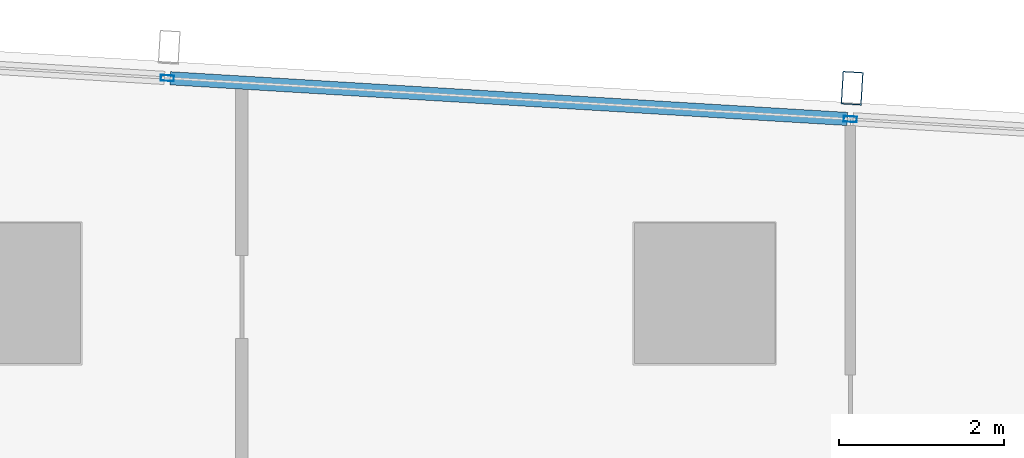
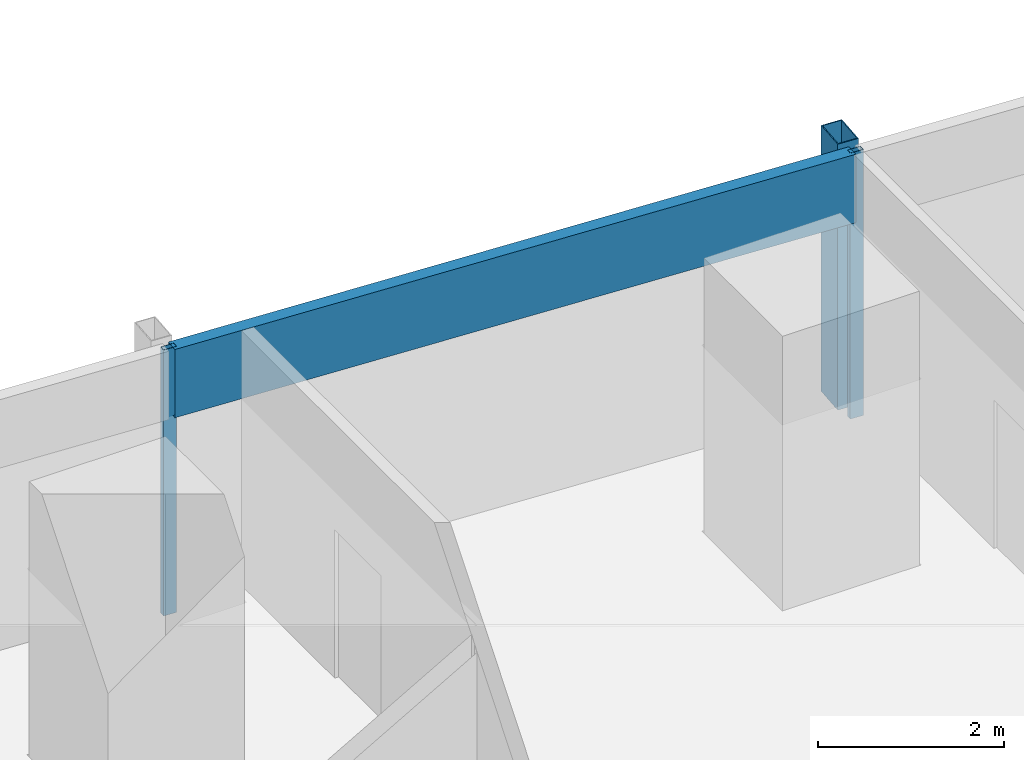
# One storey, part 19 of 40: 4 members, 1 element without a shape of its own.
"""IFC4 building model written with IfcOpenShell, lengths in metres."""

from ifc_helpers import new_model, si_unit, direction, frame, origin, origin_2d, place, context, subcontext, project, spatial, hollow_rectangle, extrude, material, material_profile, profile_set, type_object, element, aggregate, save


model = new_model("IFC4")

# Units and contexts
model_context = context("Model", 3, precision=1e-05, world=origin(), true_north=direction((0.0, 1.0)))
body_context = subcontext(model_context, "Body", "Model", "MODEL_VIEW")
ifc_project = project(units=[si_unit("LENGTHUNIT", "METRE"), si_unit("AREAUNIT", "SQUARE_METRE"), si_unit("VOLUMEUNIT", "CUBIC_METRE"), si_unit("PLANEANGLEUNIT", "RADIAN"), si_unit("MASSUNIT", "GRAM", prefix="KILO")], contexts=[model_context])

# Site, building, storey
site_placement = place(None, origin())
site = spatial("IfcSite", under=ifc_project, at=site_placement, CompositionType="ELEMENT")
building_placement = place(site_placement, origin())
building = spatial("IfcBuilding", under=site, at=building_placement, Name="Rekha Terrace Tower", CompositionType="ELEMENT")
storey_placement = place(building_placement, frame((0.0, 0.0, 136.550048828125)))
storey = spatial("IfcBuildingStorey", under=building, at=storey_placement, Name="L34", CompositionType="ELEMENT", Elevation=136.550048828125)

# Curtain wall, members
ifc_material_1 = material(Name="Aluminium framing", Category="aluminium")
curtain_wall_type = type_object("IfcCurtainWallType", Name="CW3 north unitised glazing", PredefinedType="USERDEFINED", material=ifc_material_1)
curtain_wall_placement = place(storey_placement, origin())
curtain_wall = element("IfcCurtainWall", 1, at=curtain_wall_placement, inside=storey, type_object=curtain_wall_type, Name="CW3 unitised curtain wall", ObjectType="UNITISED CURTAIN WALL", PredefinedType="USERDEFINED")
ifc_material_2 = material(Name="Steel S355 with fluorocarbon finish", Category="steel")
ifc_material_profile_1 = material_profile(ifc_material_2, hollow_rectangle(XDim=0.25, YDim=0.39990234375, WallThickness=0.012451171875, at=origin_2d()), Name="RHS400x250x12.5")
ifc_profile_set_1 = profile_set([ifc_material_profile_1], Name="Steel S355 with fluorocarbon finish")
member_type_1 = type_object("IfcMemberType", Name="BL1 facade blade RHS 400 x 250", PredefinedType="USERDEFINED", material=ifc_profile_set_1)
member_1_placement = place(storey_placement, frame((60.583740234375, 61.281005859375, 0.0), z_axis=(0.0, 0.0, 1.0), x_axis=(-0.998199123409, 0.059987582268, 0.0)))
member_1 = element("IfcMember", 2, at=member_1_placement, type_object=member_type_1, Name="Facade blade", ObjectType="FACADE BLADE", PredefinedType="USERDEFINED", context=body_context, shape_type="SweptSolid", body=[
    extrude(hollow_rectangle(XDim=0.25, YDim=0.39990234375, WallThickness=0.012451171875, at=origin_2d()), origin(), (0.0, 0.0, 1.0), 3.5),
])
ifc_material_3 = material(Name="Aluminium mullion section", Category="aluminium")
ifc_material_profile_2 = material_profile(ifc_material_3, hollow_rectangle(XDim=0.070068359375, YDim=0.159912109375, WallThickness=0.00390625, at=origin_2d()), Name="AL RHS 70x160")
ifc_profile_set_2 = profile_set([ifc_material_profile_2], Name="Aluminium mullion section")
member_type_2 = type_object("IfcMemberType", Name="CW3 mullion RHS 70 x 160", PredefinedType="MULLION", material=ifc_profile_set_2)
member_2_placement = place(storey_placement, frame((60.561279296875, 60.90673828125, 0.0), z_axis=(0.0, 0.0, 1.0), x_axis=(-0.059987926837, -0.998199102701, 0.0)))
member_2 = element("IfcMember", 3, at=member_2_placement, type_object=member_type_2, Name="CW3 mullion 2", PredefinedType="MULLION", context=body_context, shape_type="SweptSolid", body=[
    extrude(hollow_rectangle(XDim=0.070068359375, YDim=0.159912109375, WallThickness=0.00390625, at=origin_2d()), origin(), (0.0, 0.0, 1.0), 3.5),
])
member_3_placement = place(storey_placement, frame((52.299560546875, 61.4033203125, 0.0), z_axis=(0.0, 0.0, 1.0), x_axis=(-0.059987926837, -0.998199102701, 0.0)))
member_3 = element("IfcMember", 4, at=member_3_placement, type_object=member_type_2, Name="CW3 mullion 3", PredefinedType="MULLION", context=body_context, shape_type="SweptSolid", body=[
    extrude(hollow_rectangle(XDim=0.070068359375, YDim=0.159912109375, WallThickness=0.00390625, at=origin_2d()), origin(), (0.0, 0.0, 1.0), 3.5),
])
ifc_material_4 = material(Name="Insulated aluminium spandrel box", Category="aluminium")
ifc_material_profile_3 = material_profile(ifc_material_4, hollow_rectangle(XDim=0.159912109375, YDim=0.89990234375, WallThickness=0.0029296875, at=origin_2d()), Name="AL SPANDREL BOX 160x900")
ifc_profile_set_3 = profile_set([ifc_material_profile_3], Name="Insulated aluminium spandrel box")
member_type_3 = type_object("IfcMemberType", Name="CW3 spandrel transom 160 x 900", PredefinedType="USERDEFINED", material=ifc_profile_set_3)
member_4_placement = place(storey_placement, frame((60.5263671875, 60.908935546875, 3.050048828125), z_axis=(-0.998199826332, 0.059975884418, 0.0), x_axis=(-0.059975884418, -0.998199826332, 0.0)))
member_4 = element("IfcMember", 5, at=member_4_placement, type_object=member_type_3, Name="CW3 spandrel transom 2", ObjectType="TRANSOM", PredefinedType="USERDEFINED", context=body_context, shape_type="SweptSolid", body=[
    extrude(hollow_rectangle(XDim=0.159912109375, YDim=0.89990234375, WallThickness=0.0029296875, at=origin_2d()), origin(), (0.0, 0.0, 1.0), 8.20654296875),
])
aggregate(curtain_wall, [member_2, member_3, member_4, member_1])

save(model, "model.ifc")
